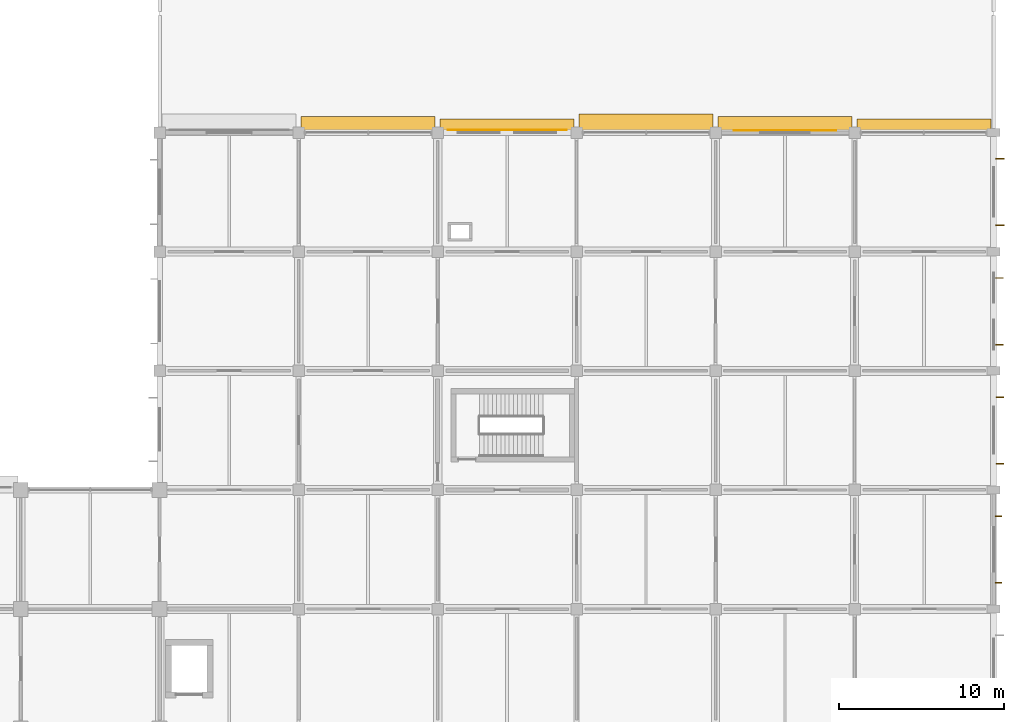
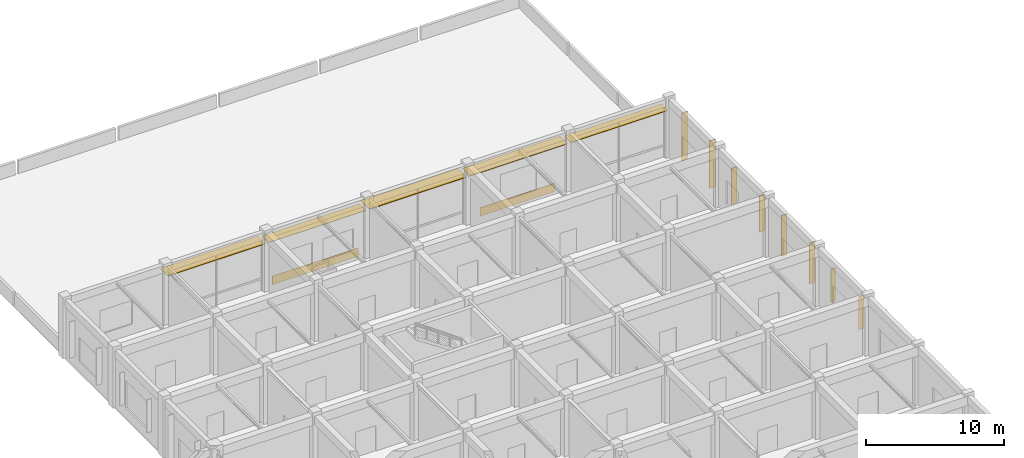
# One storey, part 41 of 41: 13 shading devices, 2 coverings.
"""IFC4 building model written with IfcOpenShell, lengths in metres."""

from ifc_helpers import new_model, si_unit, derived_unit, direction, frame, origin, origin_2d, place, context, subcontext, project, spatial, rectangle, extrude, material, layer, layer_set, type_object, element, save


model = new_model("IFC4")

# Units and contexts
model_context = context("Model", 3, precision=1e-05, world=origin(), true_north=direction((0.0, 1.0)))
body_context = subcontext(model_context, "Body", "Model", "MODEL_VIEW")
ifc_project = project(units=[si_unit("LENGTHUNIT", "METRE"), si_unit("AREAUNIT", "SQUARE_METRE"), si_unit("VOLUMEUNIT", "CUBIC_METRE"), si_unit("PLANEANGLEUNIT", "RADIAN"), si_unit("MASSUNIT", "GRAM", prefix="KILO"), derived_unit("THERMALTRANSMITTANCEUNIT", [(si_unit("MASSUNIT", "GRAM", prefix="KILO"), 1), (si_unit("TIMEUNIT", "SECOND"), -3), (si_unit("THERMODYNAMICTEMPERATUREUNIT", "KELVIN"), -1)])], contexts=[model_context])

# Site, building, storey
site_placement = place(None, origin())
site = spatial("IfcSite", under=ifc_project, at=site_placement, CompositionType="ELEMENT")
building_placement = place(site_placement, origin())
building = spatial("IfcBuilding", under=site, at=building_placement, Name="Veldstrom Oceanarium and Marine Research Institute", CompositionType="ELEMENT")
storey_placement = place(building_placement, frame((0.0, 0.0, 6.0)))
storey = spatial("IfcBuildingStorey", under=building, at=storey_placement, Name="L01", CompositionType="ELEMENT", Elevation=6.0)

# Coverings
ifc_material_1 = material(Name="Anodised Aluminium Spandrel Rainscreen Cladding", Category="aluminium")
ifc_layer_1 = layer(ifc_material_1, 0.75)
ifc_layer_set_1 = layer_set([ifc_layer_1], Name="ARC-COV-CD1")
covering_type_1 = type_object("IfcCoveringType", Name="ARC-COV-CD1", PredefinedType="CLADDING", material=ifc_layer_set_1)
covering_1_placement = place(storey_placement, frame((138.60009765625, 93.758544921875, 0.044921875), z_axis=(0.0, 0.0, 1.0), x_axis=(1.0, 0.0, 0.0)))
element("IfcCovering", 1, at=covering_1_placement, inside=storey, type_object=covering_type_1, Name="Spandrel Rainscreen Cladding L01-054", PredefinedType="CLADDING", context=body_context, shape_type="SweptSolid", body=[
    extrude(rectangle(XDim=7.199951171875, YDim=0.034912109375, at=origin_2d()), origin(), (0.0, 0.0, 1.0), 0.75),
])
ifc_material_2 = material(Name="Terracotta Spandrel Rainscreen Cladding", Category="masonry")
ifc_layer_2 = layer(ifc_material_2, 0.75)
ifc_layer_set_2 = layer_set([ifc_layer_2], Name="ARC-COV-CD2")
covering_type_2 = type_object("IfcCoveringType", Name="ARC-COV-CD2", PredefinedType="CLADDING", material=ifc_layer_set_2)
covering_2_placement = place(storey_placement, frame((155.39990234375, 93.723388671875, 0.044921875), z_axis=(0.0, 0.0, 1.0), x_axis=(1.0, 0.0, 0.0)))
element("IfcCovering", 2, at=covering_2_placement, inside=storey, type_object=covering_type_2, Name="Spandrel Rainscreen Cladding L01-055", PredefinedType="CLADDING", context=body_context, shape_type="SweptSolid", body=[
    extrude(rectangle(XDim=6.199951171875, YDim=0.0400390625, at=origin_2d()), origin(), (0.0, 0.0, 1.0), 0.75),
])

# Shading devices
ifc_material_3 = material(Name="Precast Terracotta Brise-Soleil Louvre", Category="masonry")
ifc_layer_3 = layer(ifc_material_3, 3.60009765625)
ifc_layer_set_3 = layer_set([ifc_layer_3], Name="ARC-SHD-BS01")
shading_device_type_1 = type_object("IfcShadingDeviceType", Name="ARC-SHD-BS01", PredefinedType="JALOUSIE", material=ifc_layer_set_3)
for number, where, z_axis, x_axis, name in (
    (3, (168.375, 73.590087890625, 0.737548828125), (0.0, 0.0, 1.0), (1.0, 0.0, 0.0), "Terracotta Brise-Soleil Louvre L01-060"),
    (4, (168.375, 77.610107421875, 0.737548828125), (0.0, 0.0, 1.0), (1.0, 0.0, 0.0), "Terracotta Brise-Soleil Louvre L01-060"),
):
    element("IfcShadingDevice", number, at=place(storey_placement, frame(where, z_axis=z_axis, x_axis=x_axis)), inside=storey, type_object=shading_device_type_1, Name=name, PredefinedType="JALOUSIE", context=body_context, shape_type="SweptSolid", body=[
        extrude(rectangle(XDim=0.449951171875, YDim=0.06005859375, at=origin_2d()), origin(), (0.0, 0.0, 1.0), 3.60009765625),
    ])
ifc_material_4 = material(Name="Precast Terracotta Brise-Soleil Louvre", Category="masonry")
ifc_layer_4 = layer(ifc_material_4, 3.199951171875)
ifc_layer_set_4 = layer_set([ifc_layer_4], Name="ARC-SHD-BS02")
shading_device_type_2 = type_object("IfcShadingDeviceType", Name="ARC-SHD-BS02", PredefinedType="JALOUSIE", material=ifc_layer_set_4)
for number, where, z_axis, x_axis, name in (
    (5, (168.364990234375, 80.7900390625, 0.9375), (0.0, 0.0, 1.0), (1.0, 0.0, 0.0), "Terracotta Brise-Soleil Louvre L01-061"),
    (6, (168.364990234375, 84.81005859375, 0.9375), (0.0, 0.0, 1.0), (1.0, 0.0, 0.0), "Terracotta Brise-Soleil Louvre L01-061"),
):
    element("IfcShadingDevice", number, at=place(storey_placement, frame(where, z_axis=z_axis, x_axis=x_axis)), inside=storey, type_object=shading_device_type_2, Name=name, PredefinedType="JALOUSIE", context=body_context, shape_type="SweptSolid", body=[
        extrude(rectangle(XDim=0.449951171875, YDim=0.06005859375, at=origin_2d()), origin(), (0.0, 0.0, 1.0), 3.199951171875),
    ])
ifc_material_5 = material(Name="Precast Terracotta Brise-Soleil Louvre", Category="masonry")
ifc_layer_5 = layer(ifc_material_5, 4.199951171875)
ifc_layer_set_5 = layer_set([ifc_layer_5], Name="ARC-SHD-BS03")
shading_device_type_3 = type_object("IfcShadingDeviceType", Name="ARC-SHD-BS03", PredefinedType="JALOUSIE", material=ifc_layer_set_5)
for number, where, z_axis, x_axis, name in (
    (7, (168.3798828125, 87.989990234375, 0.4375), (0.0, 0.0, 1.0), (1.0, 0.0, 0.0), "Terracotta Brise-Soleil Louvre L01-062"),
    (8, (168.3798828125, 92.010009765625, 0.4375), (0.0, 0.0, 1.0), (1.0, 0.0, 0.0), "Terracotta Brise-Soleil Louvre L01-062"),
):
    element("IfcShadingDevice", number, at=place(storey_placement, frame(where, z_axis=z_axis, x_axis=x_axis)), inside=storey, type_object=shading_device_type_3, Name=name, PredefinedType="JALOUSIE", context=body_context, shape_type="SweptSolid", body=[
        extrude(rectangle(XDim=0.5, YDim=0.06494140625, at=origin_2d()), origin(), (0.0, 0.0, 1.0), 4.199951171875),
    ])
ifc_material_6 = material(Name="Precast Terracotta Brise-Soleil Louvre", Category="masonry")
ifc_layer_6 = layer(ifc_material_6, 2.89990234375)
ifc_layer_set_6 = layer_set([ifc_layer_6], Name="ARC-SHD-BS04")
shading_device_type_4 = type_object("IfcShadingDeviceType", Name="ARC-SHD-BS04", PredefinedType="JALOUSIE", material=ifc_layer_set_6)
for number, where, z_axis, x_axis, name in (
    (9, (168.302490234375, 66.389892578125, 1.087646484375), (0.0, 0.0, 1.0), (1.0, 0.0, 0.0), "Terracotta Brise-Soleil Louvre L01-059"),
    (10, (168.302490234375, 70.409912109375, 1.087646484375), (0.0, 0.0, 1.0), (1.0, 0.0, 0.0), "Terracotta Brise-Soleil Louvre L01-059"),
):
    element("IfcShadingDevice", number, at=place(storey_placement, frame(where, z_axis=z_axis, x_axis=x_axis)), inside=storey, type_object=shading_device_type_4, Name=name, PredefinedType="JALOUSIE", context=body_context, shape_type="SweptSolid", body=[
        extrude(rectangle(XDim=0.39990234375, YDim=0.054931640625, at=origin_2d()), origin(), (0.0, 0.0, 1.0), 2.89990234375),
    ])
ifc_material_7 = material(Name="Perforated Anodised Aluminium Louvre", Category="aluminium")
ifc_layer_7 = layer(ifc_material_7, 0.054931640625)
ifc_layer_set_7 = layer_set([ifc_layer_7], Name="ARC-SHD-SH01")
shading_device_type_5 = type_object("IfcShadingDeviceType", Name="ARC-SHD-SH01", PredefinedType="AWNING", material=ifc_layer_set_7)
shading_device_placement = place(storey_placement, frame((147.0, 94.10498046875, 4.0498046875), z_axis=(0.0, 0.0, 1.0), x_axis=(1.0, 0.0, 0.0)))
element("IfcShadingDevice", 11, at=shading_device_placement, inside=storey, type_object=shading_device_type_5, Name="North Solar Canopy Louvre L01-18", PredefinedType="AWNING", context=body_context, shape_type="SweptSolid", body=[
    extrude(rectangle(XDim=8.10009765625, YDim=1.25, at=origin_2d()), origin(), (0.0, 0.0, 1.0), 0.054931640625),
])
ifc_material_8 = material(Name="Perforated Anodised Aluminium Louvre", Category="aluminium")
ifc_layer_8 = layer(ifc_material_8, 0.050048828125)
ifc_layer_set_8 = layer_set([ifc_layer_8], Name="ARC-SHD-SH02")
shading_device_type_6 = type_object("IfcShadingDeviceType", Name="ARC-SHD-SH02", PredefinedType="AWNING", material=ifc_layer_set_8)
for number, where, z_axis, x_axis, name in (
    (12, (130.199951171875, 94.030029296875, 4.0498046875), (0.0, 0.0, 1.0), (1.0, 0.0, 0.0), "North Solar Canopy Louvre L01-16"),
    (13, (155.39990234375, 94.030029296875, 4.0498046875), (0.0, 0.0, 1.0), (1.0, 0.0, 0.0), "North Solar Canopy Louvre L01-19"),
):
    element("IfcShadingDevice", number, at=place(storey_placement, frame(where, z_axis=z_axis, x_axis=x_axis)), inside=storey, type_object=shading_device_type_6, Name=name, PredefinedType="AWNING", context=body_context, shape_type="SweptSolid", body=[
        extrude(rectangle(XDim=8.10009765625, YDim=1.10009765625, at=origin_2d()), origin(), (0.0, 0.0, 1.0), 0.050048828125),
    ])
ifc_material_9 = material(Name="Perforated Anodised Aluminium Louvre", Category="aluminium")
ifc_layer_9 = layer(ifc_material_9, 0.044921875)
ifc_layer_set_9 = layer_set([ifc_layer_9], Name="ARC-SHD-SH03")
shading_device_type_7 = type_object("IfcShadingDeviceType", Name="ARC-SHD-SH03", PredefinedType="AWNING", material=ifc_layer_set_9)
for number, where, z_axis, x_axis, name in (
    (14, (138.60009765625, 93.955078125, 4.050048828125), (0.0, 0.0, 1.0), (1.0, 0.0, 0.0), "North Solar Canopy Louvre L01-17"),
    (15, (163.800048828125, 93.955078125, 4.050048828125), (0.0, 0.0, 1.0), (1.0, 0.0, 0.0), "North Solar Canopy Louvre L01-20"),
):
    element("IfcShadingDevice", number, at=place(storey_placement, frame(where, z_axis=z_axis, x_axis=x_axis)), inside=storey, type_object=shading_device_type_7, Name=name, PredefinedType="AWNING", context=body_context, shape_type="SweptSolid", body=[
        extrude(rectangle(XDim=8.10009765625, YDim=0.949951171875, at=origin_2d()), origin(), (0.0, 0.0, 1.0), 0.044921875),
    ])

save(model, "model.ifc")
